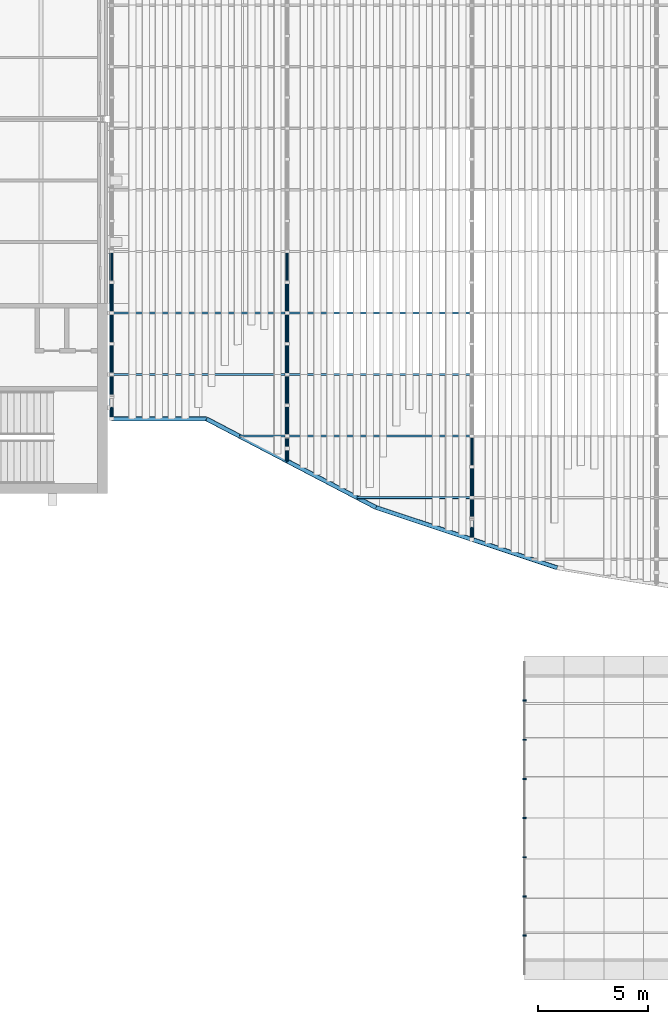
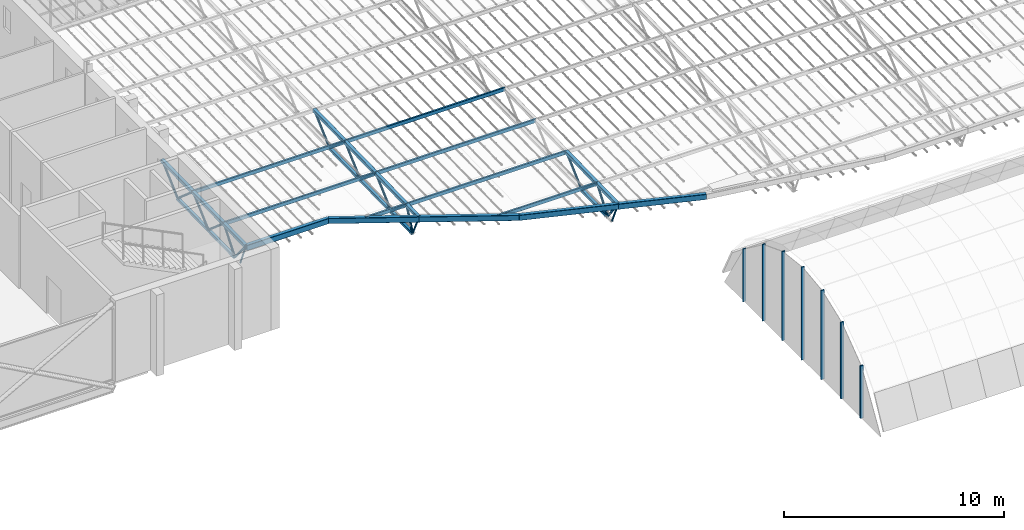
# One storey, part 14 of 129: 49 members, 5 beams, 1 element without a shape of its own.
"""IFC4 building model written with IfcOpenShell, lengths in metres."""

from ifc_helpers import new_model, si_unit, direction, frame, origin, origin_2d, place, context, subcontext, project, spatial, rectangle, hollow_rectangle, hollow_circle, extrude, material, layer, layer_set, material_profile, profile_set, type_object, element, aggregate, save


model = new_model("IFC4")

# Units and contexts
model_context = context("Model", 3, precision=1e-05, world=origin(), true_north=direction((0.0, 1.0)))
body_context = subcontext(model_context, "Body", "Model", "MODEL_VIEW")
ifc_project = project(units=[si_unit("LENGTHUNIT", "METRE"), si_unit("AREAUNIT", "SQUARE_METRE"), si_unit("VOLUMEUNIT", "CUBIC_METRE"), si_unit("PLANEANGLEUNIT", "RADIAN"), si_unit("MASSUNIT", "GRAM", prefix="KILO")], contexts=[model_context])

# Site, building, storey
site_placement = place(None, origin())
site = spatial("IfcSite", under=ifc_project, at=site_placement, CompositionType="ELEMENT")
building_placement = place(site_placement, origin())
building = spatial("IfcBuilding", under=site, at=building_placement, Name="Ardhachandra Cancer Care Centre", CompositionType="ELEMENT")
storey_placement = place(building_placement, frame((0.0, 0.0, 4.5)))
storey = spatial("IfcBuildingStorey", under=building, at=storey_placement, Name="L01", CompositionType="ELEMENT", Elevation=4.5)

# Members
ifc_material_1 = material(Name="Steel E350 (IS 2062)", Category="steel")
ifc_material_profile_1 = material_profile(ifc_material_1, hollow_rectangle(XDim=0.10009765625, YDim=0.199951171875, WallThickness=0.006103515625, InnerFilletRadius=0.006103515625, OuterFilletRadius=0.011962890625, at=origin_2d()), Name="RHS 200x100x6.0")
ifc_profile_set_1 = profile_set([ifc_material_profile_1], Name="Steel E350 (IS 2062)")
member_type_1 = type_object("IfcMemberType", Name="Canopy purlin RHS 200x100x6.0", PredefinedType="PURLIN", material=ifc_profile_set_1)
member_1_placement = place(storey_placement, frame((44.81494140625, 37.375, 2.507568359375), z_axis=(1.0, 0.0, 0.0), x_axis=(0.0, 1.0, 0.0)))
element("IfcMember", 1, at=member_1_placement, inside=storey, type_object=member_type_1, Name="Canopy purlin 6-1", PredefinedType="PURLIN", context=body_context, shape_type="SweptSolid", body=[
    extrude(hollow_rectangle(XDim=0.10009765625, YDim=0.199951171875, WallThickness=0.006103515625, InnerFilletRadius=0.006103515625, OuterFilletRadius=0.011962890625, at=origin_2d()), origin(), (0.0, 0.0, 1.0), 7.985107421875),
])
member_2_placement = place(storey_placement, frame((52.800048828125, 37.375, 2.507568359375), z_axis=(1.0, 0.0, 0.0), x_axis=(0.0, 1.0, 0.0)))
element("IfcMember", 2, at=member_2_placement, inside=storey, type_object=member_type_1, Name="Canopy purlin 6-2", PredefinedType="PURLIN", context=body_context, shape_type="SweptSolid", body=[
    extrude(hollow_rectangle(XDim=0.10009765625, YDim=0.199951171875, WallThickness=0.006103515625, InnerFilletRadius=0.006103515625, OuterFilletRadius=0.011962890625, at=origin_2d()), origin(), (0.0, 0.0, 1.0), 8.39990234375),
])
member_3_placement = place(storey_placement, frame((44.81494140625, 34.574951171875, 2.451416015625), z_axis=(1.0, 0.0, 0.0), x_axis=(0.0, 1.0, 0.0)))
element("IfcMember", 3, at=member_3_placement, inside=storey, type_object=member_type_1, Name="Canopy purlin 7-1", PredefinedType="PURLIN", context=body_context, shape_type="SweptSolid", body=[
    extrude(hollow_rectangle(XDim=0.10009765625, YDim=0.199951171875, WallThickness=0.006103515625, InnerFilletRadius=0.006103515625, OuterFilletRadius=0.011962890625, at=origin_2d()), origin(), (0.0, 0.0, 1.0), 7.985107421875),
])
member_4_placement = place(storey_placement, frame((52.800048828125, 34.574951171875, 2.451416015625), z_axis=(1.0, 0.0, 0.0), x_axis=(0.0, 1.0, 0.0)))
element("IfcMember", 4, at=member_4_placement, inside=storey, type_object=member_type_1, Name="Canopy purlin 7-2", PredefinedType="PURLIN", context=body_context, shape_type="SweptSolid", body=[
    extrude(hollow_rectangle(XDim=0.10009765625, YDim=0.199951171875, WallThickness=0.006103515625, InnerFilletRadius=0.006103515625, OuterFilletRadius=0.011962890625, at=origin_2d()), origin(), (0.0, 0.0, 1.0), 8.39990234375),
])
member_5_placement = place(storey_placement, frame((50.624755859375, 31.77490234375, 2.3955078125), z_axis=(1.0, 0.0, 0.0), x_axis=(0.0, 1.0, 0.0)))
element("IfcMember", 5, at=member_5_placement, inside=storey, type_object=member_type_1, Name="Canopy purlin 8-1", PredefinedType="PURLIN", context=body_context, shape_type="SweptSolid", body=[
    extrude(hollow_rectangle(XDim=0.10009765625, YDim=0.199951171875, WallThickness=0.006103515625, InnerFilletRadius=0.006103515625, OuterFilletRadius=0.011962890625, at=origin_2d()), origin(), (0.0, 0.0, 1.0), 2.17529296875),
])
member_6_placement = place(storey_placement, frame((52.800048828125, 31.77490234375, 2.3955078125), z_axis=(1.0, 0.0, 0.0), x_axis=(0.0, 1.0, 0.0)))
element("IfcMember", 6, at=member_6_placement, inside=storey, type_object=member_type_1, Name="Canopy purlin 8-2", PredefinedType="PURLIN", context=body_context, shape_type="SweptSolid", body=[
    extrude(hollow_rectangle(XDim=0.10009765625, YDim=0.199951171875, WallThickness=0.006103515625, InnerFilletRadius=0.006103515625, OuterFilletRadius=0.011962890625, at=origin_2d()), origin(), (0.0, 0.0, 1.0), 8.39990234375),
])
member_7_placement = place(storey_placement, frame((55.97998046875, 28.97509765625, 2.339599609375), z_axis=(1.0, 0.0, 0.0), x_axis=(0.0, 1.0, 0.0)))
element("IfcMember", 7, at=member_7_placement, inside=storey, type_object=member_type_1, Name="Canopy purlin 9-2", PredefinedType="PURLIN", context=body_context, shape_type="SweptSolid", body=[
    extrude(hollow_rectangle(XDim=0.10009765625, YDim=0.199951171875, WallThickness=0.006103515625, InnerFilletRadius=0.006103515625, OuterFilletRadius=0.011962890625, at=origin_2d()), origin(), (0.0, 0.0, 1.0), 5.219970703125),
])

# Beams
ifc_material_2 = material(Name="Steel E350 (IS 2062)", Category="steel")
ifc_material_profile_2 = material_profile(ifc_material_2, hollow_rectangle(XDim=0.199951171875, YDim=0.300048828125, WallThickness=0.010009765625, InnerFilletRadius=0.010009765625, OuterFilletRadius=0.02001953125, at=origin_2d()), Name="RHS 300x200x10.0")
ifc_profile_set_2 = profile_set([ifc_material_profile_2], Name="Steel E350 (IS 2062)")
beam_type = type_object("IfcBeamType", Name="Canopy ring and eave beam RHS 300x200x10.0", PredefinedType="BEAM", material=ifc_profile_set_2)
beam_1_placement = place(storey_placement, frame((44.81494140625, 32.557373046875, 2.361083984375), z_axis=(1.0, 0.0, 0.0), x_axis=(0.0, 1.0, 0.0)))
element("IfcBeam", 8, at=beam_1_placement, inside=storey, type_object=beam_type, Name="Canopy ring beam 1", PredefinedType="BEAM", context=body_context, shape_type="SweptSolid", body=[
    extrude(hollow_rectangle(XDim=0.199951171875, YDim=0.300048828125, WallThickness=0.010009765625, InnerFilletRadius=0.010009765625, OuterFilletRadius=0.02001953125, at=origin_2d()), origin(), (0.0, 0.0, 1.0), 4.3134765625),
])
beam_2_placement = place(storey_placement, frame((49.12841796875, 32.557373046875, 2.361083984375), z_axis=(0.886146283757, -0.46331326745, -0.009250945312), x_axis=(0.463333093895, 0.886184204385, 0.0)))
element("IfcBeam", 9, at=beam_2_placement, inside=storey, type_object=beam_type, Name="Canopy ring beam 2", PredefinedType="BEAM", context=body_context, shape_type="SweptSolid", body=[
    extrude(hollow_rectangle(XDim=0.199951171875, YDim=0.300048828125, WallThickness=0.010009765625, InnerFilletRadius=0.010009765625, OuterFilletRadius=0.02001953125, at=origin_2d()), origin(), (0.0, 0.0, 1.0), 4.143310546875),
])
beam_3_placement = place(storey_placement, frame((52.800048828125, 30.6376953125, 2.32275390625), z_axis=(0.886142743099, -0.463319473088, -0.009279262427), x_axis=(0.463339421371, 0.886180896095, 0.0)))
element("IfcBeam", 10, at=beam_3_placement, inside=storey, type_object=beam_type, Name="Canopy ring beam 3", PredefinedType="BEAM", context=body_context, shape_type="SweptSolid", body=[
    extrude(hollow_rectangle(XDim=0.199951171875, YDim=0.300048828125, WallThickness=0.010009765625, InnerFilletRadius=0.010009765625, OuterFilletRadius=0.02001953125, at=origin_2d()), origin(), (0.0, 0.0, 1.0), 4.5517578125),
])
beam_4_placement = place(storey_placement, frame((56.83349609375, 28.52880859375, 2.280517578125), z_axis=(0.948849913109, -0.315664354655, -0.006313287093), x_axis=(0.315670645653, 0.948868823111, 0.0)))
element("IfcBeam", 11, at=beam_4_placement, inside=storey, type_object=beam_type, Name="Canopy ring beam 4", PredefinedType="BEAM", context=body_context, shape_type="SweptSolid", body=[
    extrude(hollow_rectangle(XDim=0.199951171875, YDim=0.300048828125, WallThickness=0.010009765625, InnerFilletRadius=0.010009765625, OuterFilletRadius=0.02001953125, at=origin_2d()), origin(), (0.0, 0.0, 1.0), 4.601806640625),
])
beam_5_placement = place(storey_placement, frame((61.199951171875, 27.076171875, 2.25146484375), z_axis=(0.948867463655, -0.315612472494, -0.006269260237), x_axis=(0.315618675034, 0.948886111169, 0.0)))
element("IfcBeam", 12, at=beam_5_placement, inside=storey, type_object=beam_type, Name="Canopy ring beam 5", PredefinedType="BEAM", context=body_context, shape_type="SweptSolid", body=[
    extrude(hollow_rectangle(XDim=0.199951171875, YDim=0.300048828125, WallThickness=0.010009765625, InnerFilletRadius=0.010009765625, OuterFilletRadius=0.02001953125, at=origin_2d()), origin(), (0.0, 0.0, 1.0), 4.0888671875),
])

# Members
ifc_material_3 = material(Name="Steel E350 (IS 2062)", Category="steel")
ifc_material_profile_3 = material_profile(ifc_material_3, hollow_rectangle(XDim=0.14990234375, YDim=0.14990234375, WallThickness=0.006103515625, InnerFilletRadius=0.006103515625, OuterFilletRadius=0.011962890625, at=origin_2d()), Name="SHS 150x150x6.0")
ifc_profile_set_3 = profile_set([ifc_material_profile_3], Name="Steel E350 (IS 2062)")
member_type_2 = type_object("IfcMemberType", Name="Canopy truss bottom chord SHS 150x150x6.0", PredefinedType="CHORD", material=ifc_profile_set_3)
member_8_placement = place(storey_placement, frame((44.81494140625, 38.77490234375, 1.310546875), z_axis=(0.0, -0.999798942946, -0.020051775103), x_axis=(1.0, 0.0, 0.0)))
element("IfcMember", 13, at=member_8_placement, inside=storey, type_object=member_type_2, Name="Canopy truss 1 bottom chord BC15", PredefinedType="CHORD", context=body_context, shape_type="SweptSolid", body=[
    extrude(hollow_rectangle(XDim=0.14990234375, YDim=0.14990234375, WallThickness=0.006103515625, InnerFilletRadius=0.006103515625, OuterFilletRadius=0.011962890625, at=origin_2d()), origin(), (0.0, 0.0, 1.0), 2.80029296875),
])
member_9_placement = place(storey_placement, frame((44.81494140625, 35.97509765625, 1.25439453125), z_axis=(0.0, -0.99980074814, -0.019961563533), x_axis=(1.0, 0.0, 0.0)))
element("IfcMember", 14, at=member_9_placement, inside=storey, type_object=member_type_2, Name="Canopy truss 1 bottom chord BC16", PredefinedType="CHORD", context=body_context, shape_type="SweptSolid", body=[
    extrude(hollow_rectangle(XDim=0.14990234375, YDim=0.14990234375, WallThickness=0.006103515625, InnerFilletRadius=0.006103515625, OuterFilletRadius=0.011962890625, at=origin_2d()), origin(), (0.0, 0.0, 1.0), 2.409423828125),
])
member_10_placement = place(storey_placement, frame((52.800048828125, 38.77490234375, 1.310546875), z_axis=(0.0, -0.999798942946, -0.020051775103), x_axis=(1.0, 0.0, 0.0)))
element("IfcMember", 15, at=member_10_placement, inside=storey, type_object=member_type_2, Name="Canopy truss 2 bottom chord BC16", PredefinedType="CHORD", context=body_context, shape_type="SweptSolid", body=[
    extrude(hollow_rectangle(XDim=0.14990234375, YDim=0.14990234375, WallThickness=0.006103515625, InnerFilletRadius=0.006103515625, OuterFilletRadius=0.011962890625, at=origin_2d()), origin(), (0.0, 0.0, 1.0), 2.80029296875),
])
member_11_placement = place(storey_placement, frame((52.800048828125, 35.97509765625, 1.25439453125), z_axis=(0.0, -0.999800721691, -0.019962888244), x_axis=(1.0, 0.0, 0.0)))
element("IfcMember", 16, at=member_11_placement, inside=storey, type_object=member_type_2, Name="Canopy truss 2 bottom chord BC17", PredefinedType="CHORD", context=body_context, shape_type="SweptSolid", body=[
    extrude(hollow_rectangle(XDim=0.14990234375, YDim=0.14990234375, WallThickness=0.006103515625, InnerFilletRadius=0.006103515625, OuterFilletRadius=0.011962890625, at=origin_2d()), origin(), (0.0, 0.0, 1.0), 2.800537109375),
])
member_12_placement = place(storey_placement, frame((52.800048828125, 33.175048828125, 1.198486328125), z_axis=(0.0, -0.999800208876, -0.019988555027), x_axis=(1.0, 0.0, 0.0)))
element("IfcMember", 17, at=member_12_placement, inside=storey, type_object=member_type_2, Name="Canopy truss 2 bottom chord BC18", PredefinedType="CHORD", context=body_context, shape_type="SweptSolid", body=[
    extrude(hollow_rectangle(XDim=0.14990234375, YDim=0.14990234375, WallThickness=0.006103515625, InnerFilletRadius=0.006103515625, OuterFilletRadius=0.011962890625, at=origin_2d()), origin(), (0.0, 0.0, 1.0), 1.966552734375),
])
member_13_placement = place(storey_placement, frame((61.199951171875, 30.375, 1.142578125), z_axis=(0.0, -0.99979893677, -0.020052083009), x_axis=(1.0, 0.0, 0.0)))
element("IfcMember", 18, at=member_13_placement, inside=storey, type_object=member_type_2, Name="Canopy truss 3 bottom chord BC20", PredefinedType="CHORD", context=body_context, shape_type="SweptSolid", body=[
    extrude(hollow_rectangle(XDim=0.14990234375, YDim=0.14990234375, WallThickness=0.006103515625, InnerFilletRadius=0.006103515625, OuterFilletRadius=0.011962890625, at=origin_2d()), origin(), (0.0, 0.0, 1.0), 2.349853515625),
])
ifc_material_4 = material(Name="Steel E350 (IS 2062)", Category="steel")
ifc_material_profile_4 = material_profile(ifc_material_4, hollow_circle(Radius=0.05712890625, WallThickness=0.0048828125, at=origin_2d()), Name="CHS 114.3x5.0")
ifc_profile_set_4 = profile_set([ifc_material_profile_4], Name="Steel E350 (IS 2062)")
member_type_3 = type_object("IfcMemberType", Name="Canopy truss diagonal CHS 114.3x5.0", PredefinedType="BRACE", material=ifc_profile_set_4)
member_14_placement = place(storey_placement, frame((44.81494140625, 40.175048828125, 2.573486328125), z_axis=(0.0, -0.742553308775, -0.669786968839), x_axis=(1.0, 0.0, 0.0)))
element("IfcMember", 19, at=member_14_placement, inside=storey, type_object=member_type_3, Name="Canopy truss 1 web diagonal WD28", PredefinedType="BRACE", context=body_context, shape_type="SweptSolid", body=[
    extrude(hollow_circle(Radius=0.05712890625, WallThickness=0.0048828125, at=origin_2d()), origin(), (0.0, 0.0, 1.0), 1.885498046875),
])
member_15_placement = place(storey_placement, frame((44.81494140625, 38.77490234375, 1.310546875), z_axis=(0.0, -0.757351396119, 0.653007551868), x_axis=(1.0, 0.0, 0.0)))
element("IfcMember", 20, at=member_15_placement, inside=storey, type_object=member_type_3, Name="Canopy truss 1 web diagonal WD29", PredefinedType="BRACE", context=body_context, shape_type="SweptSolid", body=[
    extrude(hollow_circle(Radius=0.05712890625, WallThickness=0.0048828125, at=origin_2d()), origin(), (0.0, 0.0, 1.0), 1.848388671875),
])
member_16_placement = place(storey_placement, frame((44.81494140625, 37.375, 2.517578125), z_axis=(0.0, -0.742430813776, -0.669922746857), x_axis=(1.0, 0.0, 0.0)))
element("IfcMember", 21, at=member_16_placement, inside=storey, type_object=member_type_3, Name="Canopy truss 1 web diagonal WD30", PredefinedType="BRACE", context=body_context, shape_type="SweptSolid", body=[
    extrude(hollow_circle(Radius=0.05712890625, WallThickness=0.0048828125, at=origin_2d()), origin(), (0.0, 0.0, 1.0), 1.885498046875),
])
member_17_placement = place(storey_placement, frame((44.81494140625, 35.97509765625, 1.25439453125), z_axis=(0.0, -0.75740770942, 0.65294223459), x_axis=(1.0, 0.0, 0.0)))
element("IfcMember", 22, at=member_17_placement, inside=storey, type_object=member_type_3, Name="Canopy truss 1 web diagonal WD31", PredefinedType="BRACE", context=body_context, shape_type="SweptSolid", body=[
    extrude(hollow_circle(Radius=0.05712890625, WallThickness=0.0048828125, at=origin_2d()), origin(), (0.0, 0.0, 1.0), 1.8486328125),
])
member_18_placement = place(storey_placement, frame((44.81494140625, 34.574951171875, 2.46142578125), z_axis=(0.0, -0.626468425066, -0.779446798951), x_axis=(1.0, 0.0, 0.0)))
element("IfcMember", 23, at=member_18_placement, inside=storey, type_object=member_type_3, Name="Canopy truss 1 web diagonal WD32", PredefinedType="BRACE", context=body_context, shape_type="SweptSolid", body=[
    extrude(hollow_circle(Radius=0.05712890625, WallThickness=0.0048828125, at=origin_2d()), origin(), (0.0, 0.0, 1.0), 1.6103515625),
])
member_19_placement = place(storey_placement, frame((44.81494140625, 33.566162109375, 1.206298828125), z_axis=(0.0, -0.638845171709, 0.769335327789), x_axis=(1.0, 0.0, 0.0)))
element("IfcMember", 24, at=member_19_placement, inside=storey, type_object=member_type_3, Name="Canopy truss 1 web diagonal WD33", PredefinedType="BRACE", context=body_context, shape_type="SweptSolid", body=[
    extrude(hollow_circle(Radius=0.05712890625, WallThickness=0.0048828125, at=origin_2d()), origin(), (0.0, 0.0, 1.0), 1.5791015625),
])
member_20_placement = place(storey_placement, frame((52.800048828125, 40.175048828125, 2.573486328125), z_axis=(0.0, -0.742553308775, -0.669786968839), x_axis=(1.0, 0.0, 0.0)))
element("IfcMember", 25, at=member_20_placement, inside=storey, type_object=member_type_3, Name="Canopy truss 2 web diagonal WD29", PredefinedType="BRACE", context=body_context, shape_type="SweptSolid", body=[
    extrude(hollow_circle(Radius=0.05712890625, WallThickness=0.0048828125, at=origin_2d()), origin(), (0.0, 0.0, 1.0), 1.885498046875),
])
member_21_placement = place(storey_placement, frame((52.800048828125, 38.77490234375, 1.310546875), z_axis=(0.0, -0.757351396119, 0.653007551868), x_axis=(1.0, 0.0, 0.0)))
element("IfcMember", 26, at=member_21_placement, inside=storey, type_object=member_type_3, Name="Canopy truss 2 web diagonal WD30", PredefinedType="BRACE", context=body_context, shape_type="SweptSolid", body=[
    extrude(hollow_circle(Radius=0.05712890625, WallThickness=0.0048828125, at=origin_2d()), origin(), (0.0, 0.0, 1.0), 1.848388671875),
])
member_22_placement = place(storey_placement, frame((52.800048828125, 37.375, 2.517578125), z_axis=(0.0, -0.742430813776, -0.669922746857), x_axis=(1.0, 0.0, 0.0)))
element("IfcMember", 27, at=member_22_placement, inside=storey, type_object=member_type_3, Name="Canopy truss 2 web diagonal WD31", PredefinedType="BRACE", context=body_context, shape_type="SweptSolid", body=[
    extrude(hollow_circle(Radius=0.05712890625, WallThickness=0.0048828125, at=origin_2d()), origin(), (0.0, 0.0, 1.0), 1.885498046875),
])
member_23_placement = place(storey_placement, frame((52.800048828125, 35.97509765625, 1.25439453125), z_axis=(0.0, -0.75740770942, 0.65294223459), x_axis=(1.0, 0.0, 0.0)))
element("IfcMember", 28, at=member_23_placement, inside=storey, type_object=member_type_3, Name="Canopy truss 2 web diagonal WD32", PredefinedType="BRACE", context=body_context, shape_type="SweptSolid", body=[
    extrude(hollow_circle(Radius=0.05712890625, WallThickness=0.0048828125, at=origin_2d()), origin(), (0.0, 0.0, 1.0), 1.8486328125),
])
member_24_placement = place(storey_placement, frame((52.800048828125, 34.574951171875, 2.46142578125), z_axis=(0.0, -0.742495214915, -0.669851368461), x_axis=(1.0, 0.0, 0.0)))
element("IfcMember", 29, at=member_24_placement, inside=storey, type_object=member_type_3, Name="Canopy truss 2 web diagonal WD33", PredefinedType="BRACE", context=body_context, shape_type="SweptSolid", body=[
    extrude(hollow_circle(Radius=0.05712890625, WallThickness=0.0048828125, at=origin_2d()), origin(), (0.0, 0.0, 1.0), 1.885498046875),
])
member_25_placement = place(storey_placement, frame((52.800048828125, 33.175048828125, 1.198486328125), z_axis=(0.0, -0.75740770942, 0.65294223459), x_axis=(1.0, 0.0, 0.0)))
element("IfcMember", 30, at=member_25_placement, inside=storey, type_object=member_type_3, Name="Canopy truss 2 web diagonal WD34", PredefinedType="BRACE", context=body_context, shape_type="SweptSolid", body=[
    extrude(hollow_circle(Radius=0.05712890625, WallThickness=0.0048828125, at=origin_2d()), origin(), (0.0, 0.0, 1.0), 1.8486328125),
])
member_26_placement = place(storey_placement, frame((52.800048828125, 31.77490234375, 2.405517578125), z_axis=(0.0, -0.413440081811, -0.910531327716), x_axis=(1.0, 0.0, 0.0)))
element("IfcMember", 31, at=member_26_placement, inside=storey, type_object=member_type_3, Name="Canopy truss 2 web diagonal WD35", PredefinedType="BRACE", context=body_context, shape_type="SweptSolid", body=[
    extrude(hollow_circle(Radius=0.05712890625, WallThickness=0.0048828125, at=origin_2d()), origin(), (0.0, 0.0, 1.0), 1.368896484375),
])
member_27_placement = place(storey_placement, frame((61.199951171875, 31.77490234375, 2.405517578125), z_axis=(0.0, -0.742495214915, -0.669851368461), x_axis=(1.0, 0.0, 0.0)))
element("IfcMember", 32, at=member_27_placement, inside=storey, type_object=member_type_3, Name="Canopy truss 3 web diagonal WD38", PredefinedType="BRACE", context=body_context, shape_type="SweptSolid", body=[
    extrude(hollow_circle(Radius=0.05712890625, WallThickness=0.0048828125, at=origin_2d()), origin(), (0.0, 0.0, 1.0), 1.885498046875),
])
member_28_placement = place(storey_placement, frame((61.199951171875, 30.375, 1.142578125), z_axis=(0.0, -0.757351396119, 0.653007551868), x_axis=(1.0, 0.0, 0.0)))
element("IfcMember", 33, at=member_28_placement, inside=storey, type_object=member_type_3, Name="Canopy truss 3 web diagonal WD39", PredefinedType="BRACE", context=body_context, shape_type="SweptSolid", body=[
    extrude(hollow_circle(Radius=0.05712890625, WallThickness=0.0048828125, at=origin_2d()), origin(), (0.0, 0.0, 1.0), 1.848388671875),
])
member_29_placement = place(storey_placement, frame((61.199951171875, 28.97509765625, 2.349609375), z_axis=(0.0, -0.603594692972, -0.797291318538), x_axis=(1.0, 0.0, 0.0)))
element("IfcMember", 34, at=member_29_placement, inside=storey, type_object=member_type_3, Name="Canopy truss 3 web diagonal WD40", PredefinedType="BRACE", context=body_context, shape_type="SweptSolid", body=[
    extrude(hollow_circle(Radius=0.05712890625, WallThickness=0.0048828125, at=origin_2d()), origin(), (0.0, 0.0, 1.0), 1.572998046875),
])
member_30_placement = place(storey_placement, frame((61.199951171875, 28.025634765625, 1.095458984375), z_axis=(0.0, -0.615407561201, 0.7882090672), x_axis=(1.0, 0.0, 0.0)))
element("IfcMember", 35, at=member_30_placement, inside=storey, type_object=member_type_3, Name="Canopy truss 3 web diagonal WD41", PredefinedType="BRACE", context=body_context, shape_type="SweptSolid", body=[
    extrude(hollow_circle(Radius=0.05712890625, WallThickness=0.0048828125, at=origin_2d()), origin(), (0.0, 0.0, 1.0), 1.542724609375),
])
ifc_material_5 = material(Name="Steel E350 (IS 2062)", Category="steel")
ifc_material_profile_5 = material_profile(ifc_material_5, hollow_circle(Radius=0.04443359375, WallThickness=0.00390625, at=origin_2d()), Name="CHS 88.9x4.0")
ifc_profile_set_5 = profile_set([ifc_material_profile_5], Name="Steel E350 (IS 2062)")
member_type_4 = type_object("IfcMemberType", Name="Canopy truss post CHS 88.9x4.0", PredefinedType="POST", material=ifc_profile_set_5)
member_31_placement = place(storey_placement, frame((44.81494140625, 32.557373046875, 2.421142578125), z_axis=(0.0, 0.384079551381, -0.923300004446), x_axis=(-1.0, 0.0, 0.0)))
element("IfcMember", 36, at=member_31_placement, inside=storey, type_object=member_type_4, Name="Canopy truss 1 web vertical WV35", PredefinedType="POST", context=body_context, shape_type="SweptSolid", body=[
    extrude(hollow_circle(Radius=0.04443359375, WallThickness=0.00390625, at=origin_2d()), origin(), (0.0, 0.0, 1.0), 1.32666015625),
])
member_32_placement = place(storey_placement, frame((52.800048828125, 30.6376953125, 2.3828125), z_axis=(0.0, 0.423043813287, -0.906109227433), x_axis=(-1.0, 0.0, 0.0)))
element("IfcMember", 37, at=member_32_placement, inside=storey, type_object=member_type_4, Name="Canopy truss 2 web vertical WV37", PredefinedType="POST", context=body_context, shape_type="SweptSolid", body=[
    extrude(hollow_circle(Radius=0.04443359375, WallThickness=0.00390625, at=origin_2d()), origin(), (0.0, 0.0, 1.0), 1.350341796875),
])
member_33_placement = place(storey_placement, frame((61.199951171875, 27.076171875, 2.3115234375), z_axis=(0.0, 0.399427859342, -0.916764629107), x_axis=(-1.0, 0.0, 0.0)))
element("IfcMember", 38, at=member_33_placement, inside=storey, type_object=member_type_4, Name="Canopy truss 3 web vertical WV43", PredefinedType="POST", context=body_context, shape_type="SweptSolid", body=[
    extrude(hollow_circle(Radius=0.04443359375, WallThickness=0.00390625, at=origin_2d()), origin(), (0.0, 0.0, 1.0), 1.33544921875),
])
ifc_material_6 = material(Name="Steel E350 (IS 2062)", Category="steel")
ifc_material_profile_6 = material_profile(ifc_material_6, hollow_rectangle(XDim=0.179931640625, YDim=0.179931640625, WallThickness=0.008056640625, InnerFilletRadius=0.008056640625, OuterFilletRadius=0.01611328125, at=origin_2d()), Name="SHS 180x180x8.0")
ifc_profile_set_6 = profile_set([ifc_material_profile_6], Name="Steel E350 (IS 2062)")
member_type_5 = type_object("IfcMemberType", Name="Canopy truss top chord SHS 180x180x8.0", PredefinedType="CHORD", material=ifc_profile_set_6)
for number, where, z_axis, x_axis, name in (
    (39, (44.81494140625, 40.175048828125, 2.573486328125), (0.0, -0.999800721691, -0.019962888244), (1.0, 0.0, 0.0), "Canopy truss 1 top chord TC6"),
    (40, (44.81494140625, 37.375, 2.517578125), (0.0, -0.999798977995, -0.02005002746), (1.0, 0.0, 0.0), "Canopy truss 1 top chord TC7"),
):
    element("IfcMember", number, at=place(storey_placement, frame(where, z_axis=z_axis, x_axis=x_axis)), inside=storey, type_object=member_type_5, Name=name, PredefinedType="CHORD", context=body_context, shape_type="SweptSolid", body=[
        extrude(hollow_rectangle(XDim=0.179931640625, YDim=0.179931640625, WallThickness=0.008056640625, InnerFilletRadius=0.008056640625, OuterFilletRadius=0.01611328125, at=origin_2d()), origin(), (0.0, 0.0, 1.0), 2.800537109375),
    ])
member_34_placement = place(storey_placement, frame((44.81494140625, 34.574951171875, 2.46142578125), z_axis=(0.0, -0.999800736639, -0.019962139587), x_axis=(1.0, 0.0, 0.0)))
element("IfcMember", 41, at=member_34_placement, inside=storey, type_object=member_type_5, Name="Canopy truss 1 top chord TC8", PredefinedType="CHORD", context=body_context, shape_type="SweptSolid", body=[
    extrude(hollow_rectangle(XDim=0.179931640625, YDim=0.179931640625, WallThickness=0.008056640625, InnerFilletRadius=0.008056640625, OuterFilletRadius=0.01611328125, at=origin_2d()), origin(), (0.0, 0.0, 1.0), 2.01806640625),
])
for number, where, z_axis, x_axis, name in (
    (42, (52.800048828125, 40.175048828125, 2.573486328125), (0.0, -0.999800721691, -0.019962888244), (1.0, 0.0, 0.0), "Canopy truss 2 top chord TC6"),
    (43, (52.800048828125, 37.375, 2.517578125), (0.0, -0.999798977995, -0.02005002746), (1.0, 0.0, 0.0), "Canopy truss 2 top chord TC7"),
    (44, (52.800048828125, 34.574951171875, 2.46142578125), (0.0, -0.999800721691, -0.019962888244), (1.0, 0.0, 0.0), "Canopy truss 2 top chord TC8"),
):
    element("IfcMember", number, at=place(storey_placement, frame(where, z_axis=z_axis, x_axis=x_axis)), inside=storey, type_object=member_type_5, Name=name, PredefinedType="CHORD", context=body_context, shape_type="SweptSolid", body=[
        extrude(hollow_rectangle(XDim=0.179931640625, YDim=0.179931640625, WallThickness=0.008056640625, InnerFilletRadius=0.008056640625, OuterFilletRadius=0.01611328125, at=origin_2d()), origin(), (0.0, 0.0, 1.0), 2.800537109375),
    ])
member_35_placement = place(storey_placement, frame((52.800048828125, 31.77490234375, 2.405517578125), z_axis=(0.0, -0.999800745969, -0.019961672257), x_axis=(1.0, 0.0, 0.0)))
element("IfcMember", 45, at=member_35_placement, inside=storey, type_object=member_type_5, Name="Canopy truss 2 top chord TC9", PredefinedType="CHORD", context=body_context, shape_type="SweptSolid", body=[
    extrude(hollow_rectangle(XDim=0.179931640625, YDim=0.179931640625, WallThickness=0.008056640625, InnerFilletRadius=0.008056640625, OuterFilletRadius=0.01611328125, at=origin_2d()), origin(), (0.0, 0.0, 1.0), 1.137451171875),
])
member_36_placement = place(storey_placement, frame((61.199951171875, 31.77490234375, 2.405517578125), z_axis=(0.0, -0.999800686946, -0.019964628297), x_axis=(1.0, 0.0, 0.0)))
element("IfcMember", 46, at=member_36_placement, inside=storey, type_object=member_type_5, Name="Canopy truss 3 top chord TC9", PredefinedType="CHORD", context=body_context, shape_type="SweptSolid", body=[
    extrude(hollow_rectangle(XDim=0.179931640625, YDim=0.179931640625, WallThickness=0.008056640625, InnerFilletRadius=0.008056640625, OuterFilletRadius=0.01611328125, at=origin_2d()), origin(), (0.0, 0.0, 1.0), 2.80029296875),
])
member_37_placement = place(storey_placement, frame((61.199951171875, 28.97509765625, 2.349609375), z_axis=(0.0, -0.999798927665, -0.020052536991), x_axis=(1.0, 0.0, 0.0)))
element("IfcMember", 47, at=member_37_placement, inside=storey, type_object=member_type_5, Name="Canopy truss 3 top chord TC10", PredefinedType="CHORD", context=body_context, shape_type="SweptSolid", body=[
    extrude(hollow_rectangle(XDim=0.179931640625, YDim=0.179931640625, WallThickness=0.008056640625, InnerFilletRadius=0.008056640625, OuterFilletRadius=0.01611328125, at=origin_2d()), origin(), (0.0, 0.0, 1.0), 1.8994140625),
])

# Curtain wall, members
ifc_material_7 = material(Name="Aluminium extrusion", Category="aluminium")
ifc_layer = layer(ifc_material_7, 0.14990234375)
ifc_layer_set = layer_set([ifc_layer], Name="Aluminium extrusion")
curtain_wall_type = type_object("IfcCurtainWallType", Name="Curtain wall run", PredefinedType="NOTDEFINED", material=ifc_layer_set)
curtain_wall_placement = place(storey_placement, origin())
curtain_wall = element("IfcCurtainWall", 48, at=curtain_wall_placement, inside=storey, type_object=curtain_wall_type, Name="Gable glazing w", PredefinedType="NOTDEFINED")
ifc_material_8 = material(Name="Aluminium extrusion", Category="aluminium")
ifc_material_profile_7 = material_profile(ifc_material_8, rectangle(XDim=0.159912109375, YDim=0.06005859375, at=origin_2d()), Name="Curtain wall mullion 60 x 160")
ifc_profile_set_7 = profile_set([ifc_material_profile_7], Name="Aluminium extrusion")
member_type_6 = type_object("IfcMemberType", Name="Curtain wall mullion 60 x 160", PredefinedType="MULLION", material=ifc_profile_set_7)
member_38_placement = place(storey_placement, frame((63.60009765625, 9.054443359375, 0.550048828125), z_axis=(0.0, 0.0, 1.0), x_axis=(-1.0, 0.0, 0.0)))
member_38 = element("IfcMember", 49, at=member_38_placement, type_object=member_type_6, Name="Gable mullion w 2", PredefinedType="MULLION", context=body_context, shape_type="SweptSolid", body=[
    extrude(rectangle(XDim=0.159912109375, YDim=0.06005859375, at=origin_2d()), origin(), (0.0, 0.0, 1.0), 2.926513671875),
])
member_39_placement = place(storey_placement, frame((63.60009765625, 10.836181640625, 0.550048828125), z_axis=(0.0, 0.0, 1.0), x_axis=(-1.0, 0.0, 0.0)))
member_39 = element("IfcMember", 50, at=member_39_placement, type_object=member_type_6, Name="Gable mullion w 3", PredefinedType="MULLION", context=body_context, shape_type="SweptSolid", body=[
    extrude(rectangle(XDim=0.159912109375, YDim=0.06005859375, at=origin_2d()), origin(), (0.0, 0.0, 1.0), 4.26513671875),
])
member_40_placement = place(storey_placement, frame((63.60009765625, 12.6181640625, 0.550048828125), z_axis=(0.0, 0.0, 1.0), x_axis=(-1.0, 0.0, 0.0)))
member_40 = element("IfcMember", 51, at=member_40_placement, type_object=member_type_6, Name="Gable mullion w 4", PredefinedType="MULLION", context=body_context, shape_type="SweptSolid", body=[
    extrude(rectangle(XDim=0.159912109375, YDim=0.06005859375, at=origin_2d()), origin(), (0.0, 0.0, 1.0), 4.951171875),
])
member_41_placement = place(storey_placement, frame((63.60009765625, 14.39990234375, 0.550048828125), z_axis=(0.0, 0.0, 1.0), x_axis=(-1.0, 0.0, 0.0)))
member_41 = element("IfcMember", 52, at=member_41_placement, type_object=member_type_6, Name="Gable mullion w 5", PredefinedType="MULLION", context=body_context, shape_type="SweptSolid", body=[
    extrude(rectangle(XDim=0.159912109375, YDim=0.06005859375, at=origin_2d()), origin(), (0.0, 0.0, 1.0), 5.165771484375),
])
member_42_placement = place(storey_placement, frame((63.60009765625, 16.181884765625, 0.550048828125), z_axis=(0.0, 0.0, 1.0), x_axis=(-1.0, 0.0, 0.0)))
member_42 = element("IfcMember", 53, at=member_42_placement, type_object=member_type_6, Name="Gable mullion w 6", PredefinedType="MULLION", context=body_context, shape_type="SweptSolid", body=[
    extrude(rectangle(XDim=0.159912109375, YDim=0.06005859375, at=origin_2d()), origin(), (0.0, 0.0, 1.0), 4.951171875),
])
member_43_placement = place(storey_placement, frame((63.60009765625, 17.963623046875, 0.550048828125), z_axis=(0.0, 0.0, 1.0), x_axis=(-1.0, 0.0, 0.0)))
member_43 = element("IfcMember", 54, at=member_43_placement, type_object=member_type_6, Name="Gable mullion w 7", PredefinedType="MULLION", context=body_context, shape_type="SweptSolid", body=[
    extrude(rectangle(XDim=0.159912109375, YDim=0.06005859375, at=origin_2d()), origin(), (0.0, 0.0, 1.0), 4.26513671875),
])
member_44_placement = place(storey_placement, frame((63.60009765625, 19.74560546875, 0.550048828125), z_axis=(0.0, 0.0, 1.0), x_axis=(-1.0, 0.0, 0.0)))
member_44 = element("IfcMember", 55, at=member_44_placement, type_object=member_type_6, Name="Gable mullion w 8", PredefinedType="MULLION", context=body_context, shape_type="SweptSolid", body=[
    extrude(rectangle(XDim=0.159912109375, YDim=0.06005859375, at=origin_2d()), origin(), (0.0, 0.0, 1.0), 2.926513671875),
])
aggregate(curtain_wall, [member_38, member_39, member_40, member_41, member_42, member_43, member_44])

save(model, "model.ifc")
